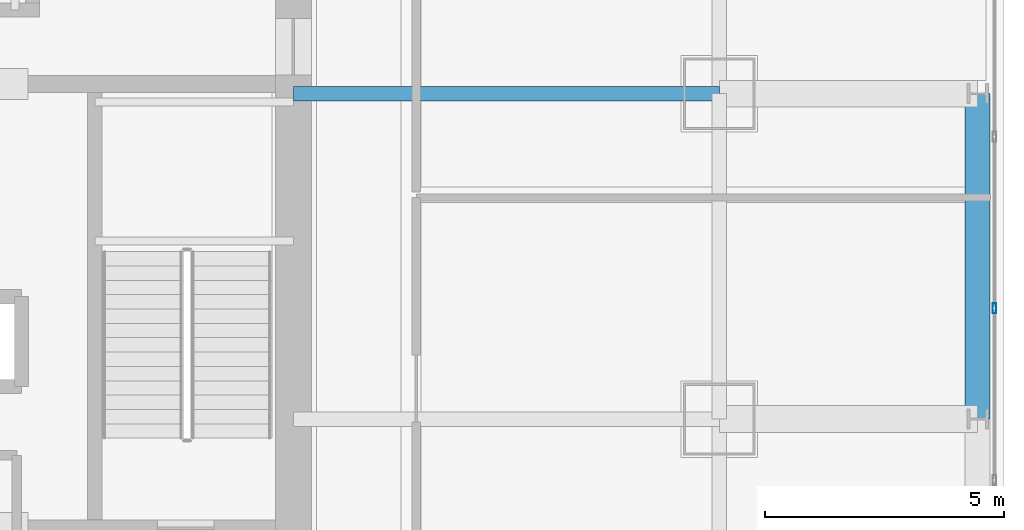
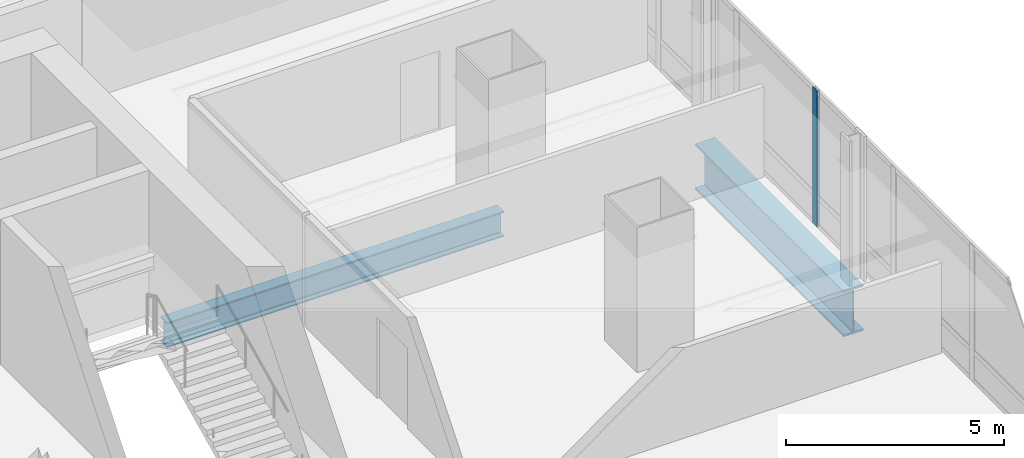
# One storey, part 16 of 35: 2 beams, 1 member, 1 element without a shape of its own.
"""IFC4 building model written with IfcOpenShell, lengths in metres."""

from ifc_helpers import new_model, si_unit, direction, frame, origin, origin_2d, place, context, subcontext, project, spatial, hollow_rectangle, i_section, extrude, material, material_profile, profile_set, type_object, element, aggregate, save


model = new_model("IFC4")

# Units and contexts
model_context = context("Model", 3, precision=1e-05, world=origin(), true_north=direction((0.0, 1.0)))
body_context = subcontext(model_context, "Body", "Model", "MODEL_VIEW")
ifc_project = project(units=[si_unit("LENGTHUNIT", "METRE"), si_unit("AREAUNIT", "SQUARE_METRE"), si_unit("VOLUMEUNIT", "CUBIC_METRE"), si_unit("PLANEANGLEUNIT", "RADIAN"), si_unit("MASSUNIT", "GRAM", prefix="KILO")], contexts=[model_context])

# Site, building, storey
site_placement = place(None, origin())
site = spatial("IfcSite", under=ifc_project, at=site_placement, CompositionType="ELEMENT")
building_placement = place(site_placement, origin())
building = spatial("IfcBuilding", under=site, at=building_placement, Name="Punatoya Terracotta Tower", CompositionType="ELEMENT")
storey_placement = place(building_placement, frame((0.0, 0.0, 113.25)))
storey = spatial("IfcBuildingStorey", under=building, at=storey_placement, Name="L26", CompositionType="ELEMENT", Elevation=113.25)

# Beams
ifc_material_1 = material(Name="Steel S355", Category="steel")
ifc_material_profile_1 = material_profile(ifc_material_1, i_section(OverallWidth=0.300048828125, OverallDepth=0.699951171875, WebThickness=0.01708984375, FlangeThickness=0.031982421875, FilletRadius=0.01806640625, at=origin_2d()))
ifc_profile_set_1 = profile_set([ifc_material_profile_1], Name="Steel S355")
beam_type_1 = type_object("IfcBeamType", Name="BM-PRI-700", PredefinedType="BEAM", material=ifc_profile_set_1)
beam_1_placement = place(storey_placement, frame((10.199951171875, 3.39990234375, -0.590087890625), z_axis=(1.0, 0.0, 0.0), x_axis=(0.0, 1.0, 0.0)))
element("IfcBeam", 1, at=beam_1_placement, inside=storey, type_object=beam_type_1, Name="BM-L26-PR-EE", PredefinedType="BEAM", context=body_context, shape_type="SweptSolid", body=[
    extrude(i_section(OverallWidth=0.300048828125, OverallDepth=0.699951171875, WebThickness=0.01708984375, FlangeThickness=0.031982421875, FilletRadius=0.01806640625, at=origin_2d()), origin(), (0.0, 0.0, 1.0), 8.900146484375),
])
ifc_material_2 = material(Name="Steel S460", Category="steel")
ifc_material_profile_2 = material_profile(ifc_material_2, i_section(OverallWidth=0.52001953125, OverallDepth=1.280029296875, WebThickness=0.031982421875, FlangeThickness=0.050048828125, FilletRadius=0.01806640625, at=origin_2d()))
ifc_profile_set_2 = profile_set([ifc_material_profile_2], Name="Steel S460")
beam_type_2 = type_object("IfcBeamType", Name="BM-TG-NCK", PredefinedType="BEAM", material=ifc_profile_set_2)
beam_2_placement = place(storey_placement, frame((24.5, -3.39990234375, -0.8798828125), z_axis=(0.0, 1.0, 0.0), x_axis=(-1.0, 0.0, 0.0)))
element("IfcBeam", 2, at=beam_2_placement, inside=storey, type_object=beam_type_2, Name="BM-L26-PER-E2", PredefinedType="BEAM", context=body_context, shape_type="SweptSolid", body=[
    extrude(i_section(OverallWidth=0.52001953125, OverallDepth=1.280029296875, WebThickness=0.031982421875, FlangeThickness=0.050048828125, FilletRadius=0.01806640625, at=origin_2d()), origin(), (0.0, 0.0, 1.0), 6.7998046875),
])

# Curtain wall, member
ifc_material_3 = material(Name="Aluminium 6063-T6 + Double Low-E Glass", Category="aluminium")
curtain_wall_type = type_object("IfcCurtainWallType", Name="CW-M1", PredefinedType="NOTDEFINED", material=ifc_material_3)
curtain_wall_placement = place(storey_placement, origin())
curtain_wall = element("IfcCurtainWall", 3, at=curtain_wall_placement, inside=storey, type_object=curtain_wall_type, Name="L26 Curtain Wall CW-L26-E05-1", PredefinedType="NOTDEFINED")
ifc_material_4 = material(Name="Aluminium 6063-T6", Category="aluminium")
ifc_material_profile_3 = material_profile(ifc_material_4, hollow_rectangle(XDim=0.074951171875, YDim=0.2099609375, WallThickness=0.00439453125, at=origin_2d()))
ifc_profile_set_3 = profile_set([ifc_material_profile_3], Name="Aluminium 6063-T6")
member_type = type_object("IfcMemberType", Name="CW-MUL-M1", PredefinedType="MULLION", material=ifc_profile_set_3)
member_placement = place(storey_placement, frame((24.85009765625, -1.087158203125, 0.0), z_axis=(0.0, 0.0, 1.0), x_axis=(1.0, 0.0, 0.0)))
member = element("IfcMember", 4, at=member_placement, type_object=member_type, Name="CW-L26-E05-1 Mullion 04", PredefinedType="MULLION", context=body_context, shape_type="SweptSolid", body=[
    extrude(hollow_rectangle(XDim=0.074951171875, YDim=0.2099609375, WallThickness=0.00439453125, at=origin_2d()), origin(), (0.0, 0.0, 1.0), 3.81005859375),
])
aggregate(curtain_wall, [member])

save(model, "model.ifc")
